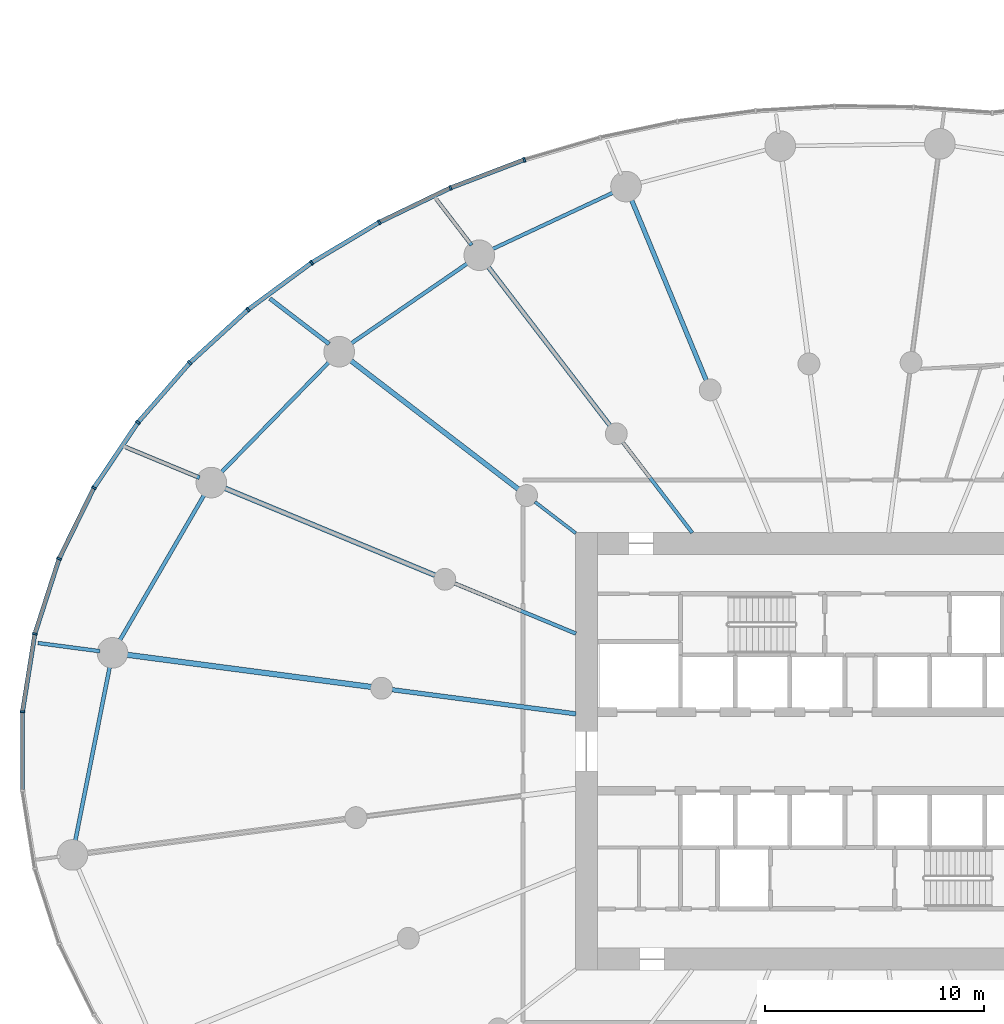
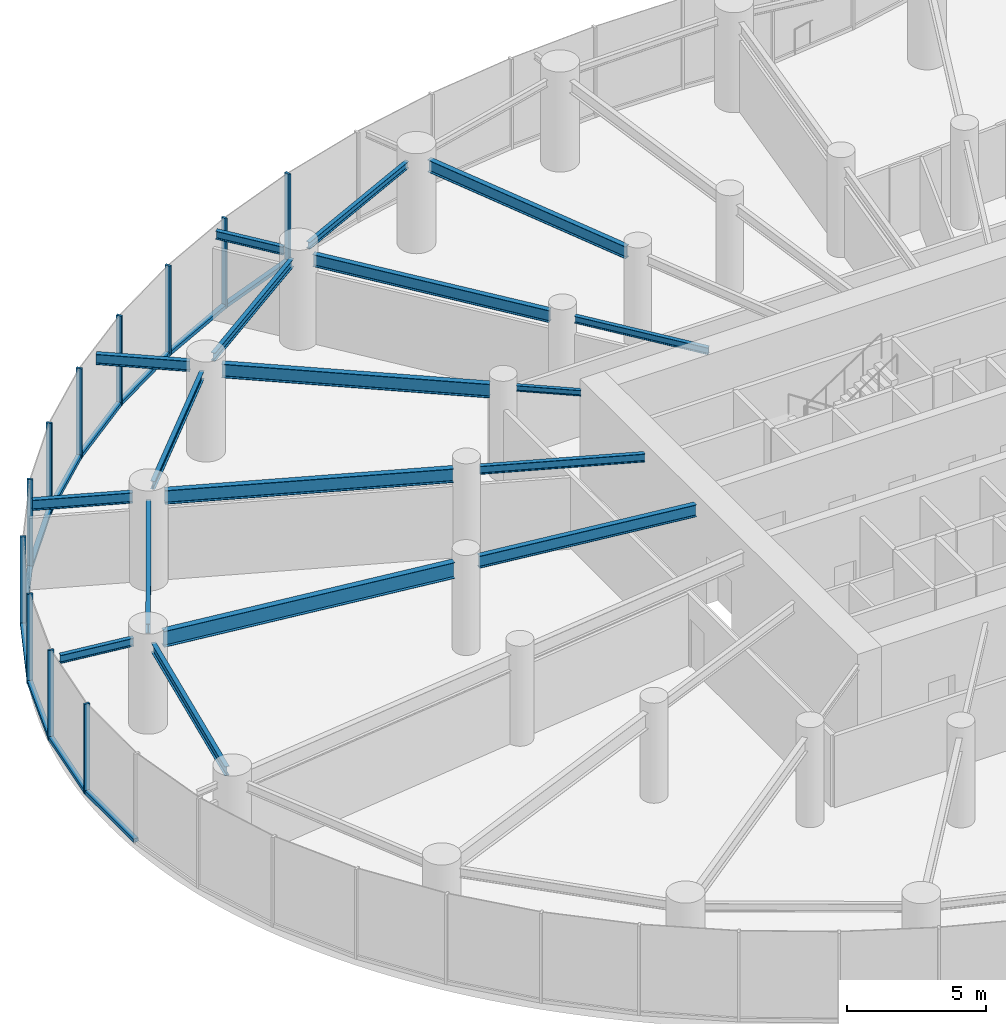
# One storey, part 4 of 21: 22 members, 18 beams, 3 elements without a shape of their own.
"""IFC4 building model written with IfcOpenShell, lengths in metres."""

import ifcopenshell
import ifcopenshell.guid

model = None  # the IFC model being written
_history = None  # IfcOwnerHistory: only IFC2X3 demands one
_inside = {}  # id of a spatial element -> (the spatial element, [elements in it])
_under = {}  # id of a project, library or spatial element -> (it, [spatial elements below it])
_declared = {}  # id of a project -> (the project, [libraries it declares])
_typed = {}  # id of a type object -> (the type object, [elements of that type])
_made_of = {}  # id of a material, layer set ... -> (it, [elements and type objects made of it])


def new_model(schema):
    """Start an empty IFC model of exactly this schema.

    Asked for "IFC4X3", IfcOpenShell would pick the latest addendum, in which some entities
    have other attributes; the version numbers below select the first issue.
    IFC2X3 requires an IfcOwnerHistory on every rooted entity: one is made here for all.
    """
    global model, _history
    if schema == "IFC4X3":
        model = ifcopenshell.file(schema_version=(4, 3, 0, 0))
    else:
        model = ifcopenshell.file(schema=schema)
    _inside.clear()
    _under.clear()
    _declared.clear()
    _typed.clear()
    _made_of.clear()
    _history = None
    if model.schema == "IFC2X3":
        org = make("IfcOrganization", Name="unknown")
        user = make(
            "IfcPersonAndOrganization",
            ThePerson=make("IfcPerson", FamilyName="unknown"),
            TheOrganization=org,
        )
        app = make(
            "IfcApplication",
            ApplicationDeveloper=org,
            Version="unknown",
            ApplicationFullName="unknown",
            ApplicationIdentifier="unknown",
        )
        _history = make(
            "IfcOwnerHistory",
            OwningUser=user,
            OwningApplication=app,
            ChangeAction="ADDED",
            CreationDate=0,
        )
    return model


def make(cls, **values):
    """One entity of the class cls with the attributes given. An attribute that is None is left unset."""
    return model.create_entity(
        cls, **{name: value for name, value in values.items() if value is not None}
    )


def rooted(cls, **values):
    """An entity with a GlobalId (a new one), such as an element, a storey or a relation."""
    return make(cls, GlobalId=ifcopenshell.guid.new(), OwnerHistory=_history, **values)


def si_unit(unit_type, name, prefix=None):
    """IfcSIUnit, for example si_unit("LENGTHUNIT", "METRE", prefix="MILLI")."""
    return make("IfcSIUnit", UnitType=unit_type, Prefix=prefix, Name=name)


def assignment(units):
    """IfcUnitAssignment: the units of a project."""
    return None if units is None else make("IfcUnitAssignment", Units=units)


def point(xyz):
    """IfcCartesianPoint."""
    return None if xyz is None else make("IfcCartesianPoint", Coordinates=xyz)


def direction(xyz):
    """IfcDirection."""
    return None if xyz is None else make("IfcDirection", DirectionRatios=xyz)


def frame(location, z_axis=None, x_axis=None):
    """IfcAxis2Placement3D, a coordinate frame: its origin and axes. An axis left out is left unset."""
    return make(
        "IfcAxis2Placement3D",
        Location=point(location),
        Axis=direction(z_axis),
        RefDirection=direction(x_axis),
    )


def frame_2d(location, x_axis=None):
    """IfcAxis2Placement2D, a coordinate frame in the plane: its origin and x axis."""
    return make(
        "IfcAxis2Placement2D", Location=point(location), RefDirection=direction(x_axis)
    )


def origin():
    """The frame at (0, 0, 0) with its axes left unset."""
    return frame((0.0, 0.0, 0.0))


def origin_2d():
    """The frame at (0, 0) in the plane with its x axis left unset."""
    return frame_2d((0.0, 0.0))


def place(relative_to, where):
    """IfcLocalPlacement: puts the frame where relative to a parent placement (None: the world)."""
    return make(
        "IfcLocalPlacement", PlacementRelTo=relative_to, RelativePlacement=where
    )


def context(
    kind, dimensions, precision=None, world=None, true_north=None, identifier=None
):
    """IfcGeometricRepresentationContext, for example the 3D "Model" context."""
    return make(
        "IfcGeometricRepresentationContext",
        ContextIdentifier=identifier,
        ContextType=kind,
        CoordinateSpaceDimension=dimensions,
        Precision=precision,
        WorldCoordinateSystem=world,
        TrueNorth=true_north,
    )


def subcontext(parent, identifier, kind, view, scale=None):
    """IfcGeometricRepresentationSubContext, for example "Body" below "Model"."""
    return make(
        "IfcGeometricRepresentationSubContext",
        ContextIdentifier=identifier,
        ContextType=kind,
        ParentContext=parent,
        TargetScale=scale,
        TargetView=view,
    )


def project(units=None, contexts=None):
    """IfcProject with its units and contexts."""
    return rooted(
        "IfcProject",
        Name="project",
        RepresentationContexts=contexts,
        UnitsInContext=assignment(units),
    )


def spatial(cls, under=None, at=None, **own):
    """A site, building, storey or space (cls), placed at a placement, below another one or the project."""
    s = rooted(cls, ObjectPlacement=at, **own)
    if under is not None:
        _under.setdefault(under.id(), (under, []))[1].append(s)
    return s


def profile(cls, at=None, kind="AREA", **sizes):
    """A parametric profile (cls). Its sizes go by their IFC names, for example OverallWidth=200.0."""
    return make(cls, ProfileType=kind, Position=at, **sizes)


def rectangle(**sizes):
    """IfcRectangleProfileDef."""
    return profile("IfcRectangleProfileDef", **sizes)


def i_section(**sizes):
    """IfcIShapeProfileDef."""
    return profile("IfcIShapeProfileDef", **sizes)


def extrude(swept, where, along, depth):
    """IfcExtrudedAreaSolid: the profile swept, set in the frame where, extruded along a direction by depth."""
    return make(
        "IfcExtrudedAreaSolid",
        SweptArea=swept,
        Position=where,
        ExtrudedDirection=direction(along),
        Depth=depth,
    )


def shape(context_of_items, identifier, shape_type, items):
    """IfcShapeRepresentation: the items that make up one representation, for example the "Body"."""
    return make(
        "IfcShapeRepresentation",
        ContextOfItems=context_of_items,
        RepresentationIdentifier=identifier,
        RepresentationType=shape_type,
        Items=items,
    )


def source(mapping_origin, context_of_items, identifier, shape_type, items):
    """IfcRepresentationMap: a shape defined once, which mapped items show again and again."""
    return make(
        "IfcRepresentationMap",
        MappingOrigin=mapping_origin,
        MappedRepresentation=shape(context_of_items, identifier, shape_type, items),
    )


def transform(
    local_origin,
    x_axis=None,
    y_axis=None,
    z_axis=None,
    scale=None,
    scale2=None,
    scale3=None,
    uniform=True,
):
    """IfcCartesianTransformationOperator3D, or its non-uniform kind. x_axis, y_axis, z_axis: its Axis1, 2, 3."""
    if uniform:
        return make(
            "IfcCartesianTransformationOperator3D",
            Axis1=direction(x_axis),
            Axis2=direction(y_axis),
            LocalOrigin=point(local_origin),
            Scale=scale,
            Axis3=direction(z_axis),
        )
    return make(
        "IfcCartesianTransformationOperator3DnonUniform",
        Axis1=direction(x_axis),
        Axis2=direction(y_axis),
        LocalOrigin=point(local_origin),
        Scale=scale,
        Axis3=direction(z_axis),
        Scale2=scale2,
        Scale3=scale3,
    )


def mapped(mapping_source, mapping_target):
    """IfcMappedItem: shows the shape of a source again, moved by a transform."""
    return make(
        "IfcMappedItem", MappingSource=mapping_source, MappingTarget=mapping_target
    )


def material(Name=None, Category=None):
    """IfcMaterial."""
    return make("IfcMaterial", Name=Name, Category=Category)


def layer(
    of_material, thickness, ventilated=None, Name=None, Category=None, Priority=None
):
    """IfcMaterialLayer: one layer of a wall or slab, of a material (None: an air gap)."""
    return make(
        "IfcMaterialLayer",
        Material=of_material,
        LayerThickness=thickness,
        IsVentilated=ventilated,
        Name=Name,
        Category=Category,
        Priority=Priority,
    )


def layer_set(layers, Name=None):
    """IfcMaterialLayerSet."""
    return make("IfcMaterialLayerSet", MaterialLayers=layers, LayerSetName=Name)


def material_profile(
    of_material, cross_section, Name=None, Category=None, Priority=None
):
    """IfcMaterialProfile: a cross section and its material."""
    return make(
        "IfcMaterialProfile",
        Name=Name,
        Material=of_material,
        Profile=cross_section,
        Priority=Priority,
        Category=Category,
    )


def profile_set(profiles, Name=None, composite=None):
    """IfcMaterialProfileSet."""
    return make(
        "IfcMaterialProfileSet",
        Name=Name,
        MaterialProfiles=profiles,
        CompositeProfile=composite,
    )


def made_of(thing, what):
    """Note that an element or type object is made of a material, layer set ...; save() writes the relation."""
    if what is not None:
        _made_of.setdefault(what.id(), (what, []))[1].append(thing)
    return thing


def type_object(cls, material=None, **own):
    """A type object (cls), such as IfcWallType, which elements share."""
    return made_of(rooted(cls, **own), material)


def element(
    cls,
    number,
    at=None,
    inside=None,
    cuts=None,
    type_object=None,
    material=None,
    context=None,
    identifier="Body",
    shape_type=None,
    held_by="IfcProductDefinitionShape",
    body=None,
    shapes=None,
    **own,
):
    """One element of the class cls, such as IfcWall. Its Tag is "e" and its number.

    at: its placement. inside: the storey or other place that contains it. cuts: it is an
    opening in that element (IfcRelVoidsElement). A single representation is given by context,
    identifier, shape_type and body (its items); several are given by shapes. held_by: the class
    of the entity that holds the representations. save() writes the other relations.
    """
    e = rooted(cls, Tag="e%d" % number, ObjectPlacement=at, **own)
    if body is not None:
        shapes = [shape(context, identifier, shape_type, body)]
    if shapes is not None:
        e.Representation = make(held_by, Representations=shapes)
    if inside is not None:
        _inside.setdefault(inside.id(), (inside, []))[1].append(e)
    if cuts is not None:
        rooted(
            "IfcRelVoidsElement", RelatingBuildingElement=cuts, RelatedOpeningElement=e
        )
    if type_object is not None:
        _typed.setdefault(type_object.id(), (type_object, []))[1].append(e)
    return made_of(e, material)


def aggregate(whole, parts):
    """IfcRelAggregates: a whole, such as a stair, and the parts it consists of."""
    return rooted("IfcRelAggregates", RelatingObject=whole, RelatedObjects=parts)


def save(model, path):
    """Write the relations noted so far, then the file.

    IfcRelAggregates (storeys below a building ...), IfcRelContainedInSpatialStructure (elements
    in a storey), IfcRelDefinesByType, IfcRelAssociatesMaterial and IfcRelDeclares: one each for
    every whole, place, type object, material and project.
    """
    for whole, parts in _under.values():
        aggregate(whole, parts)
    for where, things in _inside.values():
        rooted(
            "IfcRelContainedInSpatialStructure",
            RelatedElements=things,
            RelatingStructure=where,
        )
    for kind, things in _typed.values():
        rooted("IfcRelDefinesByType", RelatedObjects=things, RelatingType=kind)
    for what, things in _made_of.values():
        rooted("IfcRelAssociatesMaterial", RelatedObjects=things, RelatingMaterial=what)
    for by, libraries in _declared.values():
        rooted("IfcRelDeclares", RelatingContext=by, RelatedDefinitions=libraries)
    model.write(path)


model = new_model("IFC4")

# Units and contexts
model_context = context("Model", 3, precision=1e-05, world=origin(), true_north=direction((0.0, 1.0)))
body_context = subcontext(model_context, "Body", "Model", "MODEL_VIEW")
ifc_project = project(units=[si_unit("LENGTHUNIT", "METRE"), si_unit("AREAUNIT", "SQUARE_METRE"), si_unit("VOLUMEUNIT", "CUBIC_METRE"), si_unit("PLANEANGLEUNIT", "RADIAN"), si_unit("MASSUNIT", "GRAM", prefix="KILO")], contexts=[model_context])

# Site, building, storey
site_placement = place(None, origin())
site = spatial("IfcSite", under=ifc_project, at=site_placement, CompositionType="ELEMENT")
building_placement = place(site_placement, origin())
building = spatial("IfcBuilding", under=site, at=building_placement, Name="Spindrift Exchange Tower", CompositionType="ELEMENT")
storey_placement = place(building_placement, frame((0.0, 0.0, 9.39990234375)))
storey = spatial("IfcBuildingStorey", under=building, at=storey_placement, Name="L02", CompositionType="ELEMENT", Elevation=9.39990234375)

# Beams
ifc_material_1 = material(Name="Steel Grade 300", Category="steel")
ifc_material_profile_1 = material_profile(ifc_material_1, i_section(OverallWidth=0.208984375, OverallDepth=0.532958984375, WebThickness=0.01025390625, FlangeThickness=0.015625, FilletRadius=0.013916015625, at=origin_2d()), Name="530UB92.4")
ifc_profile_set_1 = profile_set([ifc_material_profile_1], Name="Steel Grade 300")
beam_type_1 = type_object("IfcBeamType", Name="Floor Beam 530UB92.4 Steel Grade 300", PredefinedType="BEAM", material=ifc_profile_set_1)
shared_shape_1 = source(origin(), body_context, "Body", "SweptSolid", [
    extrude(i_section(OverallWidth=0.208984375, OverallDepth=0.532958984375, WebThickness=0.01025390625, FlangeThickness=0.015625, FilletRadius=0.013916015625, at=origin_2d()), origin(), (0.0, 0.0, 1.0), 8.99658203125),
])
beam_1_placement = place(storey_placement, frame((44.974609375, 64.9609375, 3.68359375), z_axis=(-0.382685731718, 0.923878580085, 0.0), x_axis=(-0.923878580085, -0.382685731718, 0.0)))
element("IfcBeam", 1, at=beam_1_placement, inside=storey, type_object=beam_type_1, Name="L02 radial beam R08B", PredefinedType="BEAM", context=body_context, shape_type="MappedRepresentation", body=[
    mapped(shared_shape_1, transform((0.0, 0.0, 0.0), scale=1.0)),
])
ifc_material_profile_2 = material_profile(ifc_material_1, i_section(OverallWidth=0.1650390625, OverallDepth=0.303955078125, WebThickness=0.006103515625, FlangeThickness=0.01025390625, FilletRadius=0.011474609375, at=origin_2d()), Name="310UB40.4")
ifc_profile_set_2 = profile_set([ifc_material_profile_2], Name="Steel Grade 300")
beam_type_2 = type_object("IfcBeamType", Name="Floor Beam 310UB40.4 Steel Grade 300", PredefinedType="BEAM", material=ifc_profile_set_2)
shared_shape_2 = source(origin(), body_context, "Body", "SweptSolid", [
    extrude(i_section(OverallWidth=0.1650390625, OverallDepth=0.303955078125, WebThickness=0.006103515625, FlangeThickness=0.01025390625, FilletRadius=0.011474609375, at=origin_2d()), origin(), (0.0, 0.0, 1.0), 5.224609375),
])
beam_2_placement = place(storey_placement, frame((44.3388671875, 57.984130859375, 3.798095703125), z_axis=(-0.608741499316, 0.793368632485, 0.0), x_axis=(-0.793368632485, -0.608741499316, 0.0)))
element("IfcBeam", 2, at=beam_2_placement, inside=storey, type_object=beam_type_2, Name="L02 radial beam R09A", PredefinedType="BEAM", context=body_context, shape_type="MappedRepresentation", body=[
    mapped(shared_shape_2, transform((0.0, 0.0, 0.0), scale=1.0)),
])
shared_shape_3 = source(origin(), body_context, "Body", "SweptSolid", [
    extrude(i_section(OverallWidth=0.208984375, OverallDepth=0.532958984375, WebThickness=0.01025390625, FlangeThickness=0.015625, FilletRadius=0.013916015625, at=origin_2d()), origin(), (0.0, 0.0, 1.0), 9.227783203125),
])
beam_3_placement = place(storey_placement, frame((40.573974609375, 62.890625, 3.68359375), z_axis=(-0.608747534474, 0.79336400175, 0.0), x_axis=(-0.79336400175, -0.608747534474, 0.0)))
element("IfcBeam", 3, at=beam_3_placement, inside=storey, type_object=beam_type_1, Name="L02 radial beam R09B", PredefinedType="BEAM", context=body_context, shape_type="MappedRepresentation", body=[
    mapped(shared_shape_3, transform((0.0, 0.0, 0.0), scale=1.0)),
])
ifc_material_profile_3 = material_profile(ifc_material_1, i_section(OverallWidth=0.172119140625, OverallDepth=0.35888671875, WebThickness=0.008056640625, FlangeThickness=0.012939453125, FilletRadius=0.013916015625, at=origin_2d()), Name="360UB56.7")
ifc_profile_set_3 = profile_set([ifc_material_profile_3], Name="Steel Grade 300")
beam_type_3 = type_object("IfcBeamType", Name="Cantilever Beam 360UB56.7 Steel Grade 300", PredefinedType="BEAM", material=ifc_profile_set_3)
shared_shape_4 = source(origin(), body_context, "Body", "SweptSolid", [
    extrude(i_section(OverallWidth=0.172119140625, OverallDepth=0.35888671875, WebThickness=0.008056640625, FlangeThickness=0.012939453125, FilletRadius=0.013916015625, at=origin_2d()), origin(), (0.0, 0.0, 1.0), 2.63427734375),
])
beam_4_placement = place(storey_placement, frame((34.250244140625, 71.1318359375, 3.7705078125), z_axis=(-0.608801151582, 0.793322858509, 0.0), x_axis=(-0.793322858509, -0.608801151582, 0.0)))
element("IfcBeam", 4, at=beam_4_placement, inside=storey, type_object=beam_type_3, Name="L02 cantilever beam R09T", PredefinedType="BEAM", context=body_context, shape_type="MappedRepresentation", body=[
    mapped(shared_shape_4, transform((0.0, 0.0, 0.0), scale=1.0)),
])
ifc_material_profile_4 = material_profile(ifc_material_1, i_section(OverallWidth=0.14599609375, OverallDepth=0.251953125, WebThickness=0.006103515625, FlangeThickness=0.008544921875, FilletRadius=0.011962890625, at=origin_2d()), Name="250UB31.4")
ifc_profile_set_4 = profile_set([ifc_material_profile_4], Name="Steel Grade 300")
beam_type_4 = type_object("IfcBeamType", Name="Floor Beam 250UB31.4 Steel Grade 300", PredefinedType="BEAM", material=ifc_profile_set_4)
shared_shape_5 = source(origin(), body_context, "Body", "SweptSolid", [
    extrude(i_section(OverallWidth=0.14599609375, OverallDepth=0.251953125, WebThickness=0.006103515625, FlangeThickness=0.008544921875, FilletRadius=0.011962890625, at=origin_2d()), origin(), (0.0, 0.0, 1.0), 2.353759765625),
])
beam_5_placement = place(storey_placement, frame((39.015869140625, 57.963134765625, 3.82421875), z_axis=(-0.793367573265, 0.608742879787, 0.0), x_axis=(-0.608742879787, -0.793367573265, 0.0)))
element("IfcBeam", 5, at=beam_5_placement, inside=storey, type_object=beam_type_4, Name="L02 radial beam R10A", PredefinedType="BEAM", context=body_context, shape_type="MappedRepresentation", body=[
    mapped(shared_shape_5, transform((0.0, 0.0, 0.0), scale=1.0)),
])
ifc_material_profile_5 = material_profile(ifc_material_1, i_section(OverallWidth=0.22802734375, OverallDepth=0.60693359375, WebThickness=0.01123046875, FlangeThickness=0.017333984375, FilletRadius=0.013916015625, at=origin_2d()), Name="610UB113")
ifc_profile_set_5 = profile_set([ifc_material_profile_5], Name="Steel Grade 300")
beam_type_5 = type_object("IfcBeamType", Name="Floor Beam 610UB113 Steel Grade 300", PredefinedType="BEAM", material=ifc_profile_set_5)
shared_shape_6 = source(origin(), body_context, "Body", "SweptSolid", [
    extrude(i_section(OverallWidth=0.22802734375, OverallDepth=0.60693359375, WebThickness=0.01123046875, FlangeThickness=0.017333984375, FilletRadius=0.013916015625, at=origin_2d()), origin(), (0.0, 0.0, 1.0), 9.73974609375),
])
beam_6_placement = place(storey_placement, frame((36.38671875, 59.98046875, 3.646484375), z_axis=(-0.793352119621, 0.608763019814, 0.0), x_axis=(-0.608763019814, -0.793352119621, 0.0)))
element("IfcBeam", 6, at=beam_6_placement, inside=storey, type_object=beam_type_5, Name="L02 radial beam R10B", PredefinedType="BEAM", context=body_context, shape_type="MappedRepresentation", body=[
    mapped(shared_shape_6, transform((0.0, 0.0, 0.0), scale=1.0)),
])
ifc_material_profile_6 = material_profile(ifc_material_1, i_section(OverallWidth=0.18994140625, OverallDepth=0.45703125, WebThickness=0.009033203125, FlangeThickness=0.014404296875, FilletRadius=0.013916015625, at=origin_2d()), Name="460UB74.6")
ifc_profile_set_6 = profile_set([ifc_material_profile_6], Name="Steel Grade 300")
beam_type_6 = type_object("IfcBeamType", Name="Cantilever Beam 460UB74.6 Steel Grade 300", PredefinedType="BEAM", material=ifc_profile_set_6)
shared_shape_7 = source(origin(), body_context, "Body", "SweptSolid", [
    extrude(i_section(OverallWidth=0.18994140625, OverallDepth=0.45703125, WebThickness=0.009033203125, FlangeThickness=0.014404296875, FilletRadius=0.013916015625, at=origin_2d()), origin(), (0.0, 0.0, 1.0), 3.412353515625),
])
beam_7_placement = place(storey_placement, frame((27.7392578125, 66.615966796875, 3.7216796875), z_axis=(-0.793349503844, 0.608766428732, 0.0), x_axis=(-0.608766428732, -0.793349503844, 0.0)))
element("IfcBeam", 7, at=beam_7_placement, inside=storey, type_object=beam_type_6, Name="L02 cantilever beam R10T", PredefinedType="BEAM", context=body_context, shape_type="MappedRepresentation", body=[
    mapped(shared_shape_7, transform((0.0, 0.0, 0.0), scale=1.0)),
])
ifc_material_profile_7 = material_profile(ifc_material_1, i_section(OverallWidth=0.172119140625, OverallDepth=0.35888671875, WebThickness=0.008056640625, FlangeThickness=0.012939453125, FilletRadius=0.013916015625, at=origin_2d()), Name="360UB56.7")
ifc_profile_set_7 = profile_set([ifc_material_profile_7], Name="Steel Grade 300")
beam_type_7 = type_object("IfcBeamType", Name="Floor Beam 360UB56.7 Steel Grade 300", PredefinedType="BEAM", material=ifc_profile_set_7)
shared_shape_8 = source(origin(), body_context, "Body", "SweptSolid", [
    extrude(i_section(OverallWidth=0.172119140625, OverallDepth=0.35888671875, WebThickness=0.008056640625, FlangeThickness=0.012939453125, FilletRadius=0.013916015625, at=origin_2d()), origin(), (0.0, 0.0, 1.0), 6.004638671875),
])
beam_8_placement = place(storey_placement, frame((39.0185546875, 53.377197265625, 3.7705078125), z_axis=(-0.923882044911, 0.38267736684, 0.0), x_axis=(-0.38267736684, -0.923882044911, 0.0)))
element("IfcBeam", 8, at=beam_8_placement, inside=storey, type_object=beam_type_7, Name="L02 radial beam R11A", PredefinedType="BEAM", context=body_context, shape_type="MappedRepresentation", body=[
    mapped(shared_shape_8, transform((0.0, 0.0, 0.0), scale=1.0)),
])
shared_shape_9 = source(origin(), body_context, "Body", "SweptSolid", [
    extrude(i_section(OverallWidth=0.22802734375, OverallDepth=0.60693359375, WebThickness=0.01123046875, FlangeThickness=0.017333984375, FilletRadius=0.013916015625, at=origin_2d()), origin(), (0.0, 0.0, 1.0), 10.4912109375),
])
beam_9_placement = place(storey_placement, frame((32.583984375, 56.04248046875, 3.646484375), z_axis=(-0.923885231151, 0.382669674342, 0.0), x_axis=(-0.382669674342, -0.923885231151, 0.0)))
element("IfcBeam", 9, at=beam_9_placement, inside=storey, type_object=beam_type_5, Name="L02 radial beam R11B", PredefinedType="BEAM", context=body_context, shape_type="MappedRepresentation", body=[
    mapped(shared_shape_9, transform((0.0, 0.0, 0.0), scale=1.0)),
])
shared_shape_10 = source(origin(), body_context, "Body", "SweptSolid", [
    extrude(i_section(OverallWidth=0.18994140625, OverallDepth=0.45703125, WebThickness=0.009033203125, FlangeThickness=0.014404296875, FilletRadius=0.013916015625, at=origin_2d()), origin(), (0.0, 0.0, 1.0), 3.6494140625),
])
beam_10_placement = place(storey_placement, frame((21.819580078125, 60.501220703125, 3.7216796875), z_axis=(-0.923886374991, 0.382666912741, 0.0), x_axis=(-0.382666912741, -0.923886374991, 0.0)))
element("IfcBeam", 10, at=beam_10_placement, inside=storey, type_object=beam_type_6, Name="L02 cantilever beam R11T", PredefinedType="BEAM", context=body_context, shape_type="MappedRepresentation", body=[
    mapped(shared_shape_10, transform((0.0, 0.0, 0.0), scale=1.0)),
])
shared_shape_11 = source(origin(), body_context, "Body", "SweptSolid", [
    extrude(i_section(OverallWidth=0.208984375, OverallDepth=0.532958984375, WebThickness=0.01025390625, FlangeThickness=0.015625, FilletRadius=0.013916015625, at=origin_2d()), origin(), (0.0, 0.0, 1.0), 8.4794921875),
])
beam_11_placement = place(storey_placement, frame((39.019775390625, 49.708984375, 3.68359375), z_axis=(-0.991446551951, 0.13051335037, 0.0), x_axis=(-0.13051335037, -0.991446551951, 0.0)))
element("IfcBeam", 11, at=beam_11_placement, inside=storey, type_object=beam_type_1, Name="L02 radial beam R12A", PredefinedType="BEAM", context=body_context, shape_type="MappedRepresentation", body=[
    mapped(shared_shape_11, transform((0.0, 0.0, 0.0), scale=1.0)),
])
ifc_material_profile_8 = material_profile(ifc_material_1, i_section(OverallWidth=0.25, OverallDepth=0.699951171875, WebThickness=0.008056640625, FlangeThickness=0.011962890625, at=origin_2d()), Name="700WB115")
ifc_profile_set_8 = profile_set([ifc_material_profile_8], Name="Steel Grade 300")
beam_type_8 = type_object("IfcBeamType", Name="Floor Beam 700WB115 Steel Grade 300", PredefinedType="BEAM", material=ifc_profile_set_8)
shared_shape_12 = source(origin(), body_context, "Body", "SweptSolid", [
    extrude(i_section(OverallWidth=0.25, OverallDepth=0.699951171875, WebThickness=0.008056640625, FlangeThickness=0.011962890625, at=origin_2d()), origin(), (0.0, 0.0, 1.0), 11.34423828125),
])
beam_12_placement = place(storey_placement, frame((29.660888671875, 50.94091796875, 3.60009765625), z_axis=(-0.991444770187, 0.130526884848, 0.0), x_axis=(-0.130526884848, -0.991444770187, 0.0)))
element("IfcBeam", 12, at=beam_12_placement, inside=storey, type_object=beam_type_8, Name="L02 radial beam R12B", PredefinedType="BEAM", context=body_context, shape_type="MappedRepresentation", body=[
    mapped(shared_shape_12, transform((0.0, 0.0, 0.0), scale=1.0)),
])
shared_shape_13 = source(origin(), body_context, "Body", "SweptSolid", [
    extrude(i_section(OverallWidth=0.172119140625, OverallDepth=0.35888671875, WebThickness=0.008056640625, FlangeThickness=0.012939453125, FilletRadius=0.013916015625, at=origin_2d()), origin(), (0.0, 0.0, 1.0), 2.8583984375),
])
beam_13_placement = place(storey_placement, frame((17.263916015625, 52.572998046875, 3.7705078125), z_axis=(-0.991436262241, 0.130591492502, 0.0), x_axis=(-0.130591492502, -0.991436262241, 0.0)))
element("IfcBeam", 13, at=beam_13_placement, inside=storey, type_object=beam_type_3, Name="L02 cantilever beam R12T", PredefinedType="BEAM", context=body_context, shape_type="MappedRepresentation", body=[
    mapped(shared_shape_13, transform((0.0, 0.0, 0.0), scale=1.0)),
])
ifc_material_profile_9 = material_profile(ifc_material_1, i_section(OverallWidth=0.1650390625, OverallDepth=0.303955078125, WebThickness=0.006103515625, FlangeThickness=0.01025390625, FilletRadius=0.011474609375, at=origin_2d()), Name="310UB40.4")
ifc_profile_set_9 = profile_set([ifc_material_profile_9], Name="Steel Grade 300")
beam_type_9 = type_object("IfcBeamType", Name="Edge Beam 310UB40.4 Steel Grade 300", PredefinedType="SPANDREL", material=ifc_profile_set_9)
shared_shape_14 = source(origin(), body_context, "Body", "SweptSolid", [
    extrude(i_section(OverallWidth=0.1650390625, OverallDepth=0.303955078125, WebThickness=0.006103515625, FlangeThickness=0.01025390625, FilletRadius=0.011474609375, at=origin_2d()), origin(), (0.0, 0.0, 1.0), 6.243408203125),
])
beam_14_placement = place(storey_placement, frame((40.7841796875, 73.56298828125, 3.798095703125), z_axis=(-0.905791146607, -0.423724437257, 0.0), x_axis=(0.423724437257, -0.905791146607, 0.0)))
element("IfcBeam", 14, at=beam_14_placement, inside=storey, type_object=beam_type_9, Name="L02 edge beam E08", PredefinedType="SPANDREL", context=body_context, shape_type="MappedRepresentation", body=[
    mapped(shared_shape_14, transform((0.0, 0.0, 0.0), scale=1.0)),
])
ifc_material_profile_10 = material_profile(ifc_material_1, i_section(OverallWidth=0.172119140625, OverallDepth=0.35888671875, WebThickness=0.008056640625, FlangeThickness=0.012939453125, FilletRadius=0.013916015625, at=origin_2d()), Name="360UB56.7")
ifc_profile_set_10 = profile_set([ifc_material_profile_10], Name="Steel Grade 300")
beam_type_10 = type_object("IfcBeamType", Name="Edge Beam 360UB56.7 Steel Grade 300", PredefinedType="SPANDREL", material=ifc_profile_set_10)
shared_shape_15 = source(origin(), body_context, "Body", "SweptSolid", [
    extrude(i_section(OverallWidth=0.172119140625, OverallDepth=0.35888671875, WebThickness=0.008056640625, FlangeThickness=0.012939453125, FilletRadius=0.013916015625, at=origin_2d()), origin(), (0.0, 0.0, 1.0), 6.614990234375),
])
beam_15_placement = place(storey_placement, frame((34.125732421875, 70.3427734375, 3.7705078125), z_axis=(-0.823690708835, -0.567039342708, 0.0), x_axis=(0.567039342708, -0.823690708835, 0.0)))
element("IfcBeam", 15, at=beam_15_placement, inside=storey, type_object=beam_type_10, Name="L02 edge beam E09", PredefinedType="SPANDREL", context=body_context, shape_type="MappedRepresentation", body=[
    mapped(shared_shape_15, transform((0.0, 0.0, 0.0), scale=1.0)),
])
shared_shape_16 = source(origin(), body_context, "Body", "SweptSolid", [
    extrude(i_section(OverallWidth=0.172119140625, OverallDepth=0.35888671875, WebThickness=0.008056640625, FlangeThickness=0.012939453125, FilletRadius=0.013916015625, at=origin_2d()), origin(), (0.0, 0.0, 1.0), 7.2041015625),
])
beam_16_placement = place(storey_placement, frame((27.794189453125, 65.847900390625, 3.7705078125), z_axis=(-0.698703626006, -0.715411240481, 0.0), x_axis=(0.715411240481, -0.698703626006, 0.0)))
element("IfcBeam", 16, at=beam_16_placement, inside=storey, type_object=beam_type_10, Name="L02 edge beam E10", PredefinedType="SPANDREL", context=body_context, shape_type="MappedRepresentation", body=[
    mapped(shared_shape_16, transform((0.0, 0.0, 0.0), scale=1.0)),
])
ifc_material_profile_11 = material_profile(ifc_material_1, i_section(OverallWidth=0.177978515625, OverallDepth=0.406005859375, WebThickness=0.0078125, FlangeThickness=0.0126953125, FilletRadius=0.013916015625, at=origin_2d()), Name="410UB59.7")
ifc_profile_set_11 = profile_set([ifc_material_profile_11], Name="Steel Grade 300")
beam_type_11 = type_object("IfcBeamType", Name="Edge Beam 410UB59.7 Steel Grade 300", PredefinedType="SPANDREL", material=ifc_profile_set_11)
shared_shape_17 = source(origin(), body_context, "Body", "SweptSolid", [
    extrude(i_section(OverallWidth=0.177978515625, OverallDepth=0.406005859375, WebThickness=0.0078125, FlangeThickness=0.0126953125, FilletRadius=0.013916015625, at=origin_2d()), origin(), (0.0, 0.0, 1.0), 7.837646484375),
])
beam_17_placement = place(storey_placement, frame((22.064208984375, 59.777587890625, 3.7470703125), z_axis=(-0.50198145655, -0.864878382942, 0.0), x_axis=(0.864878382942, -0.50198145655, 0.0)))
element("IfcBeam", 17, at=beam_17_placement, inside=storey, type_object=beam_type_11, Name="L02 edge beam E11", PredefinedType="SPANDREL", context=body_context, shape_type="MappedRepresentation", body=[
    mapped(shared_shape_17, transform((0.0, 0.0, 0.0), scale=1.0)),
])
shared_shape_18 = source(origin(), body_context, "Body", "SweptSolid", [
    extrude(i_section(OverallWidth=0.177978515625, OverallDepth=0.406005859375, WebThickness=0.0078125, FlangeThickness=0.0126953125, FilletRadius=0.013916015625, at=origin_2d()), origin(), (0.0, 0.0, 1.0), 8.2548828125),
])
beam_18_placement = place(storey_placement, frame((17.72607421875, 51.928466796875, 3.7470703125), z_axis=(-0.194278723288, -0.9809463684, 0.0), x_axis=(0.9809463684, -0.194278723288, 0.0)))
element("IfcBeam", 18, at=beam_18_placement, inside=storey, type_object=beam_type_11, Name="L02 edge beam E12", PredefinedType="SPANDREL", context=body_context, shape_type="MappedRepresentation", body=[
    mapped(shared_shape_18, transform((0.0, 0.0, 0.0), scale=1.0)),
])

# Curtain wall, member
ifc_material_2 = material(Name="Fritted laminated glass with bronze frame", Category="glass")
ifc_layer = layer(ifc_material_2, 0.219970703125)
ifc_layer_set = layer_set([ifc_layer], Name="PODIUM BRONZE GLAZED WALL")
curtain_wall_type = type_object("IfcCurtainWallType", Name="PODIUM BRONZE GLAZED WALL", PredefinedType="NOTDEFINED", material=ifc_layer_set)
curtain_wall_1_placement = place(storey_placement, origin())
curtain_wall_1 = element("IfcCurtainWall", 19, at=curtain_wall_1_placement, inside=storey, type_object=curtain_wall_type, Name="L02 Podium Bronze Glazed Wall run 4", PredefinedType="NOTDEFINED")
ifc_material_3 = material(Name="Bronze anodised aluminium", Category="aluminium")
ifc_material_profile_12 = material_profile(ifc_material_3, rectangle(XDim=0.090087890625, YDim=0.219970703125, at=origin_2d()), Name="PODIUM BRONZE GLAZED WALL MULLION 90X220")
ifc_profile_set_12 = profile_set([ifc_material_profile_12], Name="Bronze anodised aluminium")
member_type_1 = type_object("IfcMemberType", Name="PODIUM BRONZE GLAZED WALL MULLION 90X220", PredefinedType="MULLION", material=ifc_profile_set_12)
shared_shape_19 = source(origin(), body_context, "Body", "SweptSolid", [
    extrude(rectangle(XDim=0.090087890625, YDim=0.219970703125, at=origin_2d()), origin(), (0.0, 0.0, 1.0), 3.9501953125),
])
member_1_placement = place(storey_placement, frame((36.660400390625, 75.036376953125, 0.0), z_axis=(0.0, 0.0, 1.0), x_axis=(-0.94780593551, -0.318847782824, 0.0)))
member_1 = element("IfcMember", 20, at=member_1_placement, type_object=member_type_1, Name="L02 mullion CW-P.24", PredefinedType="MULLION", context=body_context, shape_type="MappedRepresentation", body=[
    mapped(shared_shape_19, transform((0.0, 0.0, 0.0), scale=1.0)),
])

# Curtain wall, members
curtain_wall_2_placement = place(storey_placement, origin())
curtain_wall_2 = element("IfcCurtainWall", 21, at=curtain_wall_2_placement, inside=storey, type_object=curtain_wall_type, Name="L02 Podium Bronze Glazed Wall run 5", PredefinedType="NOTDEFINED")
member_2_placement = place(storey_placement, frame((33.287841796875, 73.75, 0.0), z_axis=(0.0, 0.0, 1.0), x_axis=(-0.918354224162, -0.395759420563, 0.0)))
member_2 = element("IfcMember", 22, at=member_2_placement, type_object=member_type_1, Name="L02 mullion CW-P.25", PredefinedType="MULLION", context=body_context, shape_type="MappedRepresentation", body=[
    mapped(shared_shape_19, transform((0.0, 0.0, 0.0), scale=1.0)),
])
member_3_placement = place(storey_placement, frame((30.036865234375, 72.181884765625, 0.0), z_axis=(0.0, 0.0, 1.0), x_axis=(-0.880312562931, -0.474394131019, 0.0)))
member_3 = element("IfcMember", 23, at=member_3_placement, type_object=member_type_1, Name="L02 mullion CW-P.26", PredefinedType="MULLION", context=body_context, shape_type="MappedRepresentation", body=[
    mapped(shared_shape_19, transform((0.0, 0.0, 0.0), scale=1.0)),
])
member_4_placement = place(storey_placement, frame((26.939453125, 70.328857421875, 0.0), z_axis=(0.0, 0.0, 1.0), x_axis=(-0.832366842877, -0.554225079619, 0.0)))
member_4 = element("IfcMember", 24, at=member_4_placement, type_object=member_type_1, Name="L02 mullion CW-P.27", PredefinedType="MULLION", context=body_context, shape_type="MappedRepresentation", body=[
    mapped(shared_shape_19, transform((0.0, 0.0, 0.0), scale=1.0)),
])
member_5_placement = place(storey_placement, frame((24.035400390625, 68.18603515625, 0.0), z_axis=(0.0, 0.0, 1.0), x_axis=(-0.772500408078, -0.635014267178, 0.0)))
member_5 = element("IfcMember", 25, at=member_5_placement, type_object=member_type_1, Name="L02 mullion CW-P.28", PredefinedType="MULLION", context=body_context, shape_type="MappedRepresentation", body=[
    mapped(shared_shape_19, transform((0.0, 0.0, 0.0), scale=1.0)),
])
member_6_placement = place(storey_placement, frame((21.371337890625, 65.751708984375, 0.0), z_axis=(0.0, 0.0, 1.0), x_axis=(-0.698469225847, -0.715640091488, 0.0)))
member_6 = element("IfcMember", 26, at=member_6_placement, type_object=member_type_1, Name="L02 mullion CW-P.29", PredefinedType="MULLION", context=body_context, shape_type="MappedRepresentation", body=[
    mapped(shared_shape_19, transform((0.0, 0.0, 0.0), scale=1.0)),
])
member_7_placement = place(storey_placement, frame((19.002685546875, 63.029541015625, 0.0), z_axis=(0.0, 0.0, 1.0), x_axis=(-0.608598692087, -0.793478186209, 0.0)))
member_7 = element("IfcMember", 27, at=member_7_placement, type_object=member_type_1, Name="L02 mullion CW-P.30", PredefinedType="MULLION", context=body_context, shape_type="MappedRepresentation", body=[
    mapped(shared_shape_19, transform((0.0, 0.0, 0.0), scale=1.0)),
])

curtain_wall_3_placement = place(storey_placement, origin())
curtain_wall_3 = element("IfcCurtainWall", 28, at=curtain_wall_3_placement, inside=storey, type_object=curtain_wall_type, Name="L02 Podium Bronze Glazed Wall run 6", PredefinedType="NOTDEFINED")
member_8_placement = place(storey_placement, frame((16.98779296875, 60.03662109375, 0.0), z_axis=(0.0, 0.0, 1.0), x_axis=(-0.500752280814, -0.865590638385, 0.0)))
member_8 = element("IfcMember", 29, at=member_8_placement, type_object=member_type_1, Name="L02 mullion CW-P.31", PredefinedType="MULLION", context=body_context, shape_type="MappedRepresentation", body=[
    mapped(shared_shape_19, transform((0.0, 0.0, 0.0), scale=1.0)),
])
member_9_placement = place(storey_placement, frame((15.397705078125, 56.79833984375, 0.0), z_axis=(0.0, 0.0, 1.0), x_axis=(-0.37483196341, -0.927092767314, 0.0)))
member_9 = element("IfcMember", 30, at=member_9_placement, type_object=member_type_1, Name="L02 mullion CW-P.32", PredefinedType="MULLION", context=body_context, shape_type="MappedRepresentation", body=[
    mapped(shared_shape_19, transform((0.0, 0.0, 0.0), scale=1.0)),
])
member_10_placement = place(storey_placement, frame((14.29052734375, 53.365234375, 0.0), z_axis=(0.0, 0.0, 1.0), x_axis=(-0.232738121389, -0.972539442312, 0.0)))
member_10 = element("IfcMember", 31, at=member_10_placement, type_object=member_type_1, Name="L02 mullion CW-P.33", PredefinedType="MULLION", context=body_context, shape_type="MappedRepresentation", body=[
    mapped(shared_shape_19, transform((0.0, 0.0, 0.0), scale=1.0)),
])
member_11_placement = place(storey_placement, frame((13.723876953125, 49.80322265625, 0.0), z_axis=(0.0, 0.0, 1.0), x_axis=(-0.078805062835, -0.996890045126, 0.0)))
member_11 = element("IfcMember", 32, at=member_11_placement, type_object=member_type_1, Name="L02 mullion CW-P.34", PredefinedType="MULLION", context=body_context, shape_type="MappedRepresentation", body=[
    mapped(shared_shape_19, transform((0.0, 0.0, 0.0), scale=1.0)),
])

# Member
ifc_material_profile_13 = material_profile(ifc_material_3, rectangle(XDim=0.199951171875, YDim=0.159912109375, at=origin_2d()), Name="PODIUM BRONZE GLAZED WALL TRANSOM 200X160")
ifc_profile_set_13 = profile_set([ifc_material_profile_13], Name="Bronze anodised aluminium")
member_type_2 = type_object("IfcMemberType", Name="PODIUM BRONZE GLAZED WALL TRANSOM 200X160", PredefinedType="USERDEFINED", material=ifc_profile_set_13)
shared_shape_20 = source(origin(), body_context, "Body", "SweptSolid", [
    extrude(rectangle(XDim=0.199951171875, YDim=0.159912109375, at=origin_2d()), origin(), (0.0, 0.0, 1.0), 3.5185546875),
])
member_12_placement = place(storey_placement, frame((21.341796875, 65.7177734375, 0.080078125), z_axis=(-0.656419190019, -0.754396346077, 0.0), x_axis=(0.754396346077, -0.656419190019, 0.0)))
member_12 = element("IfcMember", 33, at=member_12_placement, type_object=member_type_2, Name="L02 transom CW-P.29", ObjectType="TRANSOM", PredefinedType="USERDEFINED", context=body_context, shape_type="MappedRepresentation", body=[
    mapped(shared_shape_20, transform((0.0, 0.0, 0.0), scale=1.0)),
])

shared_shape_21 = source(origin(), body_context, "Body", "SweptSolid", [
    extrude(rectangle(XDim=0.199951171875, YDim=0.159912109375, at=origin_2d()), origin(), (0.0, 0.0, 1.0), 3.518798828125),
])
member_13_placement = place(storey_placement, frame((24.002197265625, 68.15576171875, 0.080078125), z_axis=(-0.738236093476, -0.674542415486, 0.0), x_axis=(0.674542415486, -0.738236093476, 0.0)))
member_13 = element("IfcMember", 34, at=member_13_placement, type_object=member_type_2, Name="L02 transom CW-P.28", ObjectType="TRANSOM", PredefinedType="USERDEFINED", context=body_context, shape_type="MappedRepresentation", body=[
    mapped(shared_shape_21, transform((0.0, 0.0, 0.0), scale=1.0)),
])

shared_shape_22 = source(origin(), body_context, "Body", "SweptSolid", [
    extrude(rectangle(XDim=0.199951171875, YDim=0.159912109375, at=origin_2d()), origin(), (0.0, 0.0, 1.0), 3.51904296875),
])
member_14_placement = place(storey_placement, frame((26.9033203125, 70.30224609375, 0.080078125), z_axis=(-0.804654576986, -0.59374322037, 0.0), x_axis=(0.59374322037, -0.804654576986, 0.0)))
member_14 = element("IfcMember", 35, at=member_14_placement, type_object=member_type_2, Name="L02 transom CW-P.27", ObjectType="TRANSOM", PredefinedType="USERDEFINED", context=body_context, shape_type="MappedRepresentation", body=[
    mapped(shared_shape_22, transform((0.0, 0.0, 0.0), scale=1.0)),
])

shared_shape_23 = source(origin(), body_context, "Body", "SweptSolid", [
    extrude(rectangle(XDim=0.199951171875, YDim=0.159912109375, at=origin_2d()), origin(), (0.0, 0.0, 1.0), 3.517822265625),
])
member_15_placement = place(storey_placement, frame((18.9775390625, 62.9921875, 0.080078125), z_axis=(-0.558458112145, -0.829532722067, 0.0), x_axis=(0.829532722067, -0.558458112145, 0.0)))
member_15 = element("IfcMember", 36, at=member_15_placement, type_object=member_type_2, Name="L02 transom CW-P.30", ObjectType="TRANSOM", PredefinedType="USERDEFINED", context=body_context, shape_type="MappedRepresentation", body=[
    mapped(shared_shape_23, transform((0.0, 0.0, 0.0), scale=1.0)),
])

shared_shape_24 = source(origin(), body_context, "Body", "SweptSolid", [
    extrude(rectangle(XDim=0.199951171875, YDim=0.159912109375, at=origin_2d()), origin(), (0.0, 0.0, 1.0), 3.51953125),
])
member_16_placement = place(storey_placement, frame((36.618408203125, 75.020263671875, 0.080078125), z_axis=(-0.934359106635, -0.356332793674, 0.0), x_axis=(0.356332793674, -0.934359106635, 0.0)))
member_16 = element("IfcMember", 37, at=member_16_placement, type_object=member_type_2, Name="L02 transom CW-P.24", ObjectType="TRANSOM", PredefinedType="USERDEFINED", context=body_context, shape_type="MappedRepresentation", body=[
    mapped(shared_shape_24, transform((0.0, 0.0, 0.0), scale=1.0)),
])

aggregate(curtain_wall_1, [member_1, member_16])

member_17_placement = place(storey_placement, frame((29.998291015625, 72.158935546875, 0.080078125), z_axis=(-0.858153255513, -0.513393601492, 0.0), x_axis=(0.513393601492, -0.858153255513, 0.0)))
member_17 = element("IfcMember", 38, at=member_17_placement, type_object=member_type_2, Name="L02 transom CW-P.26", ObjectType="TRANSOM", PredefinedType="USERDEFINED", context=body_context, shape_type="MappedRepresentation", body=[
    mapped(shared_shape_24, transform((0.0, 0.0, 0.0), scale=1.0)),
])

shared_shape_25 = source(origin(), body_context, "Body", "SweptSolid", [
    extrude(rectangle(XDim=0.199951171875, YDim=0.159912109375, at=origin_2d()), origin(), (0.0, 0.0, 1.0), 3.519287109375),
])
member_18_placement = place(storey_placement, frame((33.247314453125, 73.73046875, 0.080078125), z_axis=(-0.900718275589, -0.434403715476, 0.0), x_axis=(0.434403715476, -0.900718275589, 0.0)))
member_18 = element("IfcMember", 39, at=member_18_placement, type_object=member_type_2, Name="L02 transom CW-P.25", ObjectType="TRANSOM", PredefinedType="USERDEFINED", context=body_context, shape_type="MappedRepresentation", body=[
    mapped(shared_shape_25, transform((0.0, 0.0, 0.0), scale=1.0)),
])

aggregate(curtain_wall_2, [member_2, member_18, member_3, member_17, member_4, member_14, member_5, member_13, member_6, member_12, member_7, member_15])

shared_shape_26 = source(origin(), body_context, "Body", "SweptSolid", [
    extrude(rectangle(XDim=0.199951171875, YDim=0.159912109375, at=origin_2d()), origin(), (0.0, 0.0, 1.0), 3.517578125),
])
member_19_placement = place(storey_placement, frame((16.968017578125, 59.99609375, 0.080078125), z_axis=(-0.440733185678, -0.897638155964, 0.0), x_axis=(0.897638155964, -0.440733185678, 0.0)))
member_19 = element("IfcMember", 40, at=member_19_placement, type_object=member_type_2, Name="L02 transom CW-P.31", ObjectType="TRANSOM", PredefinedType="USERDEFINED", context=body_context, shape_type="MappedRepresentation", body=[
    mapped(shared_shape_26, transform((0.0, 0.0, 0.0), scale=1.0)),
])

shared_shape_27 = source(origin(), body_context, "Body", "SweptSolid", [
    extrude(rectangle(XDim=0.199951171875, YDim=0.159912109375, at=origin_2d()), origin(), (0.0, 0.0, 1.0), 3.51708984375),
])
member_20_placement = place(storey_placement, frame((15.384033203125, 56.75537109375, 0.080078125), z_axis=(-0.307029146295, -0.951700112076, 0.0), x_axis=(0.951700112076, -0.307029146295, 0.0)))
member_20 = element("IfcMember", 41, at=member_20_placement, type_object=member_type_2, Name="L02 transom CW-P.32", ObjectType="TRANSOM", PredefinedType="USERDEFINED", context=body_context, shape_type="MappedRepresentation", body=[
    mapped(shared_shape_27, transform((0.0, 0.0, 0.0), scale=1.0)),
])

shared_shape_28 = source(origin(), body_context, "Body", "SweptSolid", [
    extrude(rectangle(XDim=0.199951171875, YDim=0.159912109375, at=origin_2d()), origin(), (0.0, 0.0, 1.0), 3.516845703125),
])
member_21_placement = place(storey_placement, frame((14.283447265625, 53.32080078125, 0.080078125), z_axis=(-0.157099660692, -0.98758275431, 0.0), x_axis=(0.98758275431, -0.157099660692, 0.0)))
member_21 = element("IfcMember", 42, at=member_21_placement, type_object=member_type_2, Name="L02 transom CW-P.33", ObjectType="TRANSOM", PredefinedType="USERDEFINED", context=body_context, shape_type="MappedRepresentation", body=[
    mapped(shared_shape_28, transform((0.0, 0.0, 0.0), scale=1.0)),
])

shared_shape_29 = source(origin(), body_context, "Body", "SweptSolid", [
    extrude(rectangle(XDim=0.199951171875, YDim=0.159912109375, at=origin_2d()), origin(), (0.0, 0.0, 1.0), 3.5166015625),
])
member_22_placement = place(storey_placement, frame((13.723876953125, 49.75830078125, 0.080078125), z_axis=(0.0, -1.0, 0.0), x_axis=(1.0, 0.0, 0.0)))
member_22 = element("IfcMember", 43, at=member_22_placement, type_object=member_type_2, Name="L02 transom CW-P.34", ObjectType="TRANSOM", PredefinedType="USERDEFINED", context=body_context, shape_type="MappedRepresentation", body=[
    mapped(shared_shape_29, transform((0.0, 0.0, 0.0), scale=1.0)),
])

aggregate(curtain_wall_3, [member_8, member_19, member_9, member_20, member_10, member_21, member_11, member_22])

save(model, "model.ifc")
